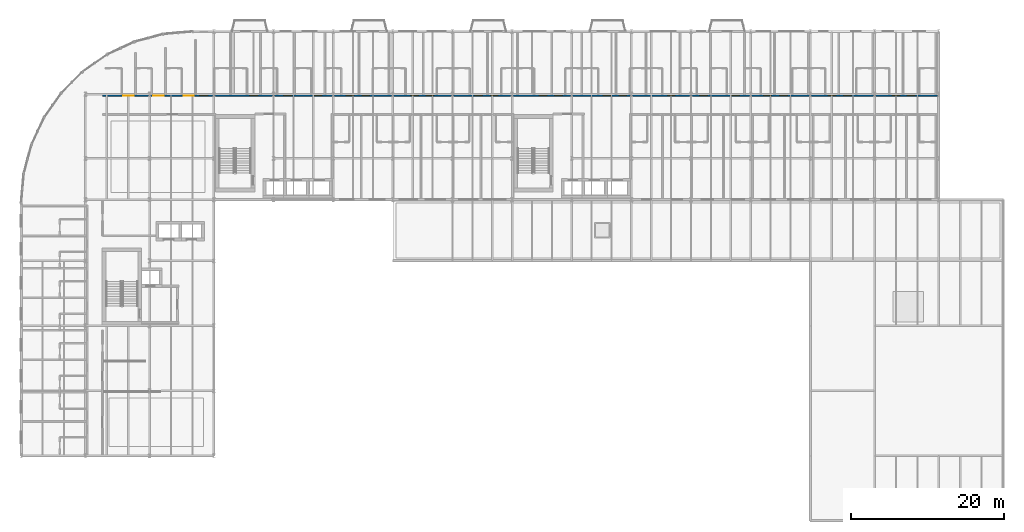
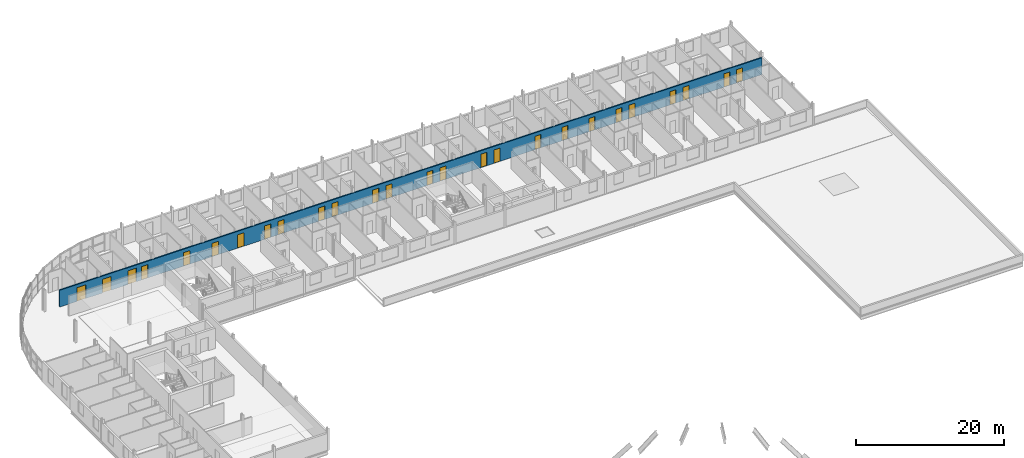
# One storey, part 27 of 36: 26 doors, 1 wall, 26 openings.
"""IFC4 building model written with IfcOpenShell, lengths in metres."""

import ifcopenshell
import ifcopenshell.guid

model = None  # the IFC model being written
_history = None  # IfcOwnerHistory: only IFC2X3 demands one
_inside = {}  # id of a spatial element -> (the spatial element, [elements in it])
_under = {}  # id of a project, library or spatial element -> (it, [spatial elements below it])
_declared = {}  # id of a project -> (the project, [libraries it declares])
_typed = {}  # id of a type object -> (the type object, [elements of that type])
_made_of = {}  # id of a material, layer set ... -> (it, [elements and type objects made of it])


def new_model(schema):
    """Start an empty IFC model of exactly this schema.

    Asked for "IFC4X3", IfcOpenShell would pick the latest addendum, in which some entities
    have other attributes; the version numbers below select the first issue.
    IFC2X3 requires an IfcOwnerHistory on every rooted entity: one is made here for all.
    """
    global model, _history
    if schema == "IFC4X3":
        model = ifcopenshell.file(schema_version=(4, 3, 0, 0))
    else:
        model = ifcopenshell.file(schema=schema)
    _inside.clear()
    _under.clear()
    _declared.clear()
    _typed.clear()
    _made_of.clear()
    _history = None
    if model.schema == "IFC2X3":
        org = make("IfcOrganization", Name="unknown")
        user = make(
            "IfcPersonAndOrganization",
            ThePerson=make("IfcPerson", FamilyName="unknown"),
            TheOrganization=org,
        )
        app = make(
            "IfcApplication",
            ApplicationDeveloper=org,
            Version="unknown",
            ApplicationFullName="unknown",
            ApplicationIdentifier="unknown",
        )
        _history = make(
            "IfcOwnerHistory",
            OwningUser=user,
            OwningApplication=app,
            ChangeAction="ADDED",
            CreationDate=0,
        )
    return model


def make(cls, **values):
    """One entity of the class cls with the attributes given. An attribute that is None is left unset."""
    return model.create_entity(
        cls, **{name: value for name, value in values.items() if value is not None}
    )


def rooted(cls, **values):
    """An entity with a GlobalId (a new one), such as an element, a storey or a relation."""
    return make(cls, GlobalId=ifcopenshell.guid.new(), OwnerHistory=_history, **values)


def si_unit(unit_type, name, prefix=None):
    """IfcSIUnit, for example si_unit("LENGTHUNIT", "METRE", prefix="MILLI")."""
    return make("IfcSIUnit", UnitType=unit_type, Prefix=prefix, Name=name)


def assignment(units):
    """IfcUnitAssignment: the units of a project."""
    return None if units is None else make("IfcUnitAssignment", Units=units)


def point(xyz):
    """IfcCartesianPoint."""
    return None if xyz is None else make("IfcCartesianPoint", Coordinates=xyz)


def direction(xyz):
    """IfcDirection."""
    return None if xyz is None else make("IfcDirection", DirectionRatios=xyz)


def frame(location, z_axis=None, x_axis=None):
    """IfcAxis2Placement3D, a coordinate frame: its origin and axes. An axis left out is left unset."""
    return make(
        "IfcAxis2Placement3D",
        Location=point(location),
        Axis=direction(z_axis),
        RefDirection=direction(x_axis),
    )


def frame_2d(location, x_axis=None):
    """IfcAxis2Placement2D, a coordinate frame in the plane: its origin and x axis."""
    return make(
        "IfcAxis2Placement2D", Location=point(location), RefDirection=direction(x_axis)
    )


def origin():
    """The frame at (0, 0, 0) with its axes left unset."""
    return frame((0.0, 0.0, 0.0))


def place(relative_to, where):
    """IfcLocalPlacement: puts the frame where relative to a parent placement (None: the world)."""
    return make(
        "IfcLocalPlacement", PlacementRelTo=relative_to, RelativePlacement=where
    )


def context(
    kind, dimensions, precision=None, world=None, true_north=None, identifier=None
):
    """IfcGeometricRepresentationContext, for example the 3D "Model" context."""
    return make(
        "IfcGeometricRepresentationContext",
        ContextIdentifier=identifier,
        ContextType=kind,
        CoordinateSpaceDimension=dimensions,
        Precision=precision,
        WorldCoordinateSystem=world,
        TrueNorth=true_north,
    )


def subcontext(parent, identifier, kind, view, scale=None):
    """IfcGeometricRepresentationSubContext, for example "Body" below "Model"."""
    return make(
        "IfcGeometricRepresentationSubContext",
        ContextIdentifier=identifier,
        ContextType=kind,
        ParentContext=parent,
        TargetScale=scale,
        TargetView=view,
    )


def project(units=None, contexts=None):
    """IfcProject with its units and contexts."""
    return rooted(
        "IfcProject",
        Name="project",
        RepresentationContexts=contexts,
        UnitsInContext=assignment(units),
    )


def spatial(cls, under=None, at=None, **own):
    """A site, building, storey or space (cls), placed at a placement, below another one or the project."""
    s = rooted(cls, ObjectPlacement=at, **own)
    if under is not None:
        _under.setdefault(under.id(), (under, []))[1].append(s)
    return s


def profile(cls, at=None, kind="AREA", **sizes):
    """A parametric profile (cls). Its sizes go by their IFC names, for example OverallWidth=200.0."""
    return make(cls, ProfileType=kind, Position=at, **sizes)


def rectangle(**sizes):
    """IfcRectangleProfileDef."""
    return profile("IfcRectangleProfileDef", **sizes)


def extrude(swept, where, along, depth):
    """IfcExtrudedAreaSolid: the profile swept, set in the frame where, extruded along a direction by depth."""
    return make(
        "IfcExtrudedAreaSolid",
        SweptArea=swept,
        Position=where,
        ExtrudedDirection=direction(along),
        Depth=depth,
    )


def shape(context_of_items, identifier, shape_type, items):
    """IfcShapeRepresentation: the items that make up one representation, for example the "Body"."""
    return make(
        "IfcShapeRepresentation",
        ContextOfItems=context_of_items,
        RepresentationIdentifier=identifier,
        RepresentationType=shape_type,
        Items=items,
    )


def material(Name=None, Category=None):
    """IfcMaterial."""
    return make("IfcMaterial", Name=Name, Category=Category)


def layer(
    of_material, thickness, ventilated=None, Name=None, Category=None, Priority=None
):
    """IfcMaterialLayer: one layer of a wall or slab, of a material (None: an air gap)."""
    return make(
        "IfcMaterialLayer",
        Material=of_material,
        LayerThickness=thickness,
        IsVentilated=ventilated,
        Name=Name,
        Category=Category,
        Priority=Priority,
    )


def layer_set(layers, Name=None):
    """IfcMaterialLayerSet."""
    return make("IfcMaterialLayerSet", MaterialLayers=layers, LayerSetName=Name)


def made_of(thing, what):
    """Note that an element or type object is made of a material, layer set ...; save() writes the relation."""
    if what is not None:
        _made_of.setdefault(what.id(), (what, []))[1].append(thing)
    return thing


def type_object(cls, material=None, **own):
    """A type object (cls), such as IfcWallType, which elements share."""
    return made_of(rooted(cls, **own), material)


def element(
    cls,
    number,
    at=None,
    inside=None,
    cuts=None,
    type_object=None,
    material=None,
    context=None,
    identifier="Body",
    shape_type=None,
    held_by="IfcProductDefinitionShape",
    body=None,
    shapes=None,
    **own,
):
    """One element of the class cls, such as IfcWall. Its Tag is "e" and its number.

    at: its placement. inside: the storey or other place that contains it. cuts: it is an
    opening in that element (IfcRelVoidsElement). A single representation is given by context,
    identifier, shape_type and body (its items); several are given by shapes. held_by: the class
    of the entity that holds the representations. save() writes the other relations.
    """
    e = rooted(cls, Tag="e%d" % number, ObjectPlacement=at, **own)
    if body is not None:
        shapes = [shape(context, identifier, shape_type, body)]
    if shapes is not None:
        e.Representation = make(held_by, Representations=shapes)
    if inside is not None:
        _inside.setdefault(inside.id(), (inside, []))[1].append(e)
    if cuts is not None:
        rooted(
            "IfcRelVoidsElement", RelatingBuildingElement=cuts, RelatedOpeningElement=e
        )
    if type_object is not None:
        _typed.setdefault(type_object.id(), (type_object, []))[1].append(e)
    return made_of(e, material)


def fill(opening, filler):
    """IfcRelFillsElement: the door or window that sits in an opening."""
    return rooted(
        "IfcRelFillsElement",
        RelatingOpeningElement=opening,
        RelatedBuildingElement=filler,
    )


def aggregate(whole, parts):
    """IfcRelAggregates: a whole, such as a stair, and the parts it consists of."""
    return rooted("IfcRelAggregates", RelatingObject=whole, RelatedObjects=parts)


def save(model, path):
    """Write the relations noted so far, then the file.

    IfcRelAggregates (storeys below a building ...), IfcRelContainedInSpatialStructure (elements
    in a storey), IfcRelDefinesByType, IfcRelAssociatesMaterial and IfcRelDeclares: one each for
    every whole, place, type object, material and project.
    """
    for whole, parts in _under.values():
        aggregate(whole, parts)
    for where, things in _inside.values():
        rooted(
            "IfcRelContainedInSpatialStructure",
            RelatedElements=things,
            RelatingStructure=where,
        )
    for kind, things in _typed.values():
        rooted("IfcRelDefinesByType", RelatedObjects=things, RelatingType=kind)
    for what, things in _made_of.values():
        rooted("IfcRelAssociatesMaterial", RelatedObjects=things, RelatingMaterial=what)
    for by, libraries in _declared.values():
        rooted("IfcRelDeclares", RelatingContext=by, RelatedDefinitions=libraries)
    model.write(path)


model = new_model("IFC4")

# Units and contexts
model_context = context("Model", 3, precision=1e-05, world=origin(), true_north=direction((0.0, 1.0)))
body_context = subcontext(model_context, "Body", "Model", "MODEL_VIEW")
ifc_project = project(units=[si_unit("LENGTHUNIT", "METRE"), si_unit("AREAUNIT", "SQUARE_METRE"), si_unit("VOLUMEUNIT", "CUBIC_METRE"), si_unit("PLANEANGLEUNIT", "RADIAN"), si_unit("MASSUNIT", "GRAM", prefix="KILO")], contexts=[model_context])

# Site, building, storey
site_placement = place(None, origin())
site = spatial("IfcSite", under=ifc_project, at=site_placement, CompositionType="ELEMENT")
building_placement = place(site_placement, origin())
building = spatial("IfcBuilding", under=site, at=building_placement, Name="Sefraquen Railside Congress Hotel", CompositionType="ELEMENT")
storey_placement = place(building_placement, frame((0.0, 0.0, 24.60009765625)))
storey = spatial("IfcBuildingStorey", under=building, at=storey_placement, Name="L05", CompositionType="ELEMENT", Elevation=24.60009765625)

# Wall, openings, doors
ifc_material_1 = material(Name="Acoustic gypsum board on metal stud", Category="gypsum")
ifc_layer = layer(ifc_material_1, 0.199951171875)
ifc_layer_set = layer_set([ifc_layer], Name="Acoustic gypsum board on metal stud")
wall_type = type_object("IfcWallType", Name="TW-PW-200", PredefinedType="PARTITIONING", material=ifc_layer_set)
wall_placement = place(storey_placement, frame((10.64990234375, 109.60009765625, 0.0), z_axis=(0.0, 0.0, 1.0), x_axis=(1.0, 0.0, 0.0)))
wall = element("IfcWall", 1, at=wall_placement, inside=storey, type_object=wall_type, Name="Hotel L05 north corridor fire-rated partition", PredefinedType="PARTITIONING", context=body_context, shape_type="SweptSolid", body=[
    extrude(rectangle(XDim=109.210205078125, YDim=0.199951171875, at=frame_2d((54.60498046875, 0.0))), origin(), (0.0, 0.0, 1.0), 2.77978515625),
])
opening_1_placement = place(wall_placement, frame((12.705078125, 0.0, 0.0)))
opening_1 = element("IfcOpeningElement", 2, at=opening_1_placement, cuts=wall, Name="Opening GD-01", PredefinedType="OPENING", context=body_context, shape_type="SweptSolid", body=[
    extrude(rectangle(XDim=1.02001953125, YDim=2.199951171875, at=frame_2d((0.510009765625, 1.10009765625))), frame((0.0, 0.10986328125, 0.0), z_axis=(0.0, -1.0, 0.0), x_axis=(1.0, 0.0, 0.0)), (0.0, 0.0, 1.0), 0.219970703125),
])
opening_2_placement = place(wall_placement, frame((19.260009765625, 0.0, 0.0)))
opening_2 = element("IfcOpeningElement", 3, at=opening_2_placement, cuts=wall, Name="Opening GD-01", PredefinedType="OPENING", context=body_context, shape_type="SweptSolid", body=[
    extrude(rectangle(XDim=1.02001953125, YDim=2.199951171875, at=frame_2d((0.510009765625, 1.10009765625))), frame((0.0, 0.10986328125, 0.0), z_axis=(0.0, -1.0, 0.0), x_axis=(1.0, 0.0, 0.0)), (0.0, 0.0, 1.0), 0.219970703125),
])
opening_3_placement = place(wall_placement, frame((23.7099609375, 0.0, 0.0)))
opening_3 = element("IfcOpeningElement", 4, at=opening_3_placement, cuts=wall, Name="Opening GD-01", PredefinedType="OPENING", context=body_context, shape_type="SweptSolid", body=[
    extrude(rectangle(XDim=1.02001953125, YDim=2.199951171875, at=frame_2d((0.510009765625, 1.10009765625))), frame((0.0, 0.10986328125, 0.0), z_axis=(0.0, -1.0, 0.0), x_axis=(1.0, 0.0, 0.0)), (0.0, 0.0, 1.0), 0.219970703125),
])
opening_4_placement = place(wall_placement, frame((27.659912109375, 0.0, 0.0)))
opening_4 = element("IfcOpeningElement", 5, at=opening_4_placement, cuts=wall, Name="Opening GD-01", PredefinedType="OPENING", context=body_context, shape_type="SweptSolid", body=[
    extrude(rectangle(XDim=1.02001953125, YDim=2.199951171875, at=frame_2d((0.510009765625, 1.10009765625))), frame((0.0, 0.10986328125, 0.0), z_axis=(0.0, -1.0, 0.0), x_axis=(1.0, 0.0, 0.0)), (0.0, 0.0, 1.0), 0.219970703125),
])
opening_5_placement = place(wall_placement, frame((31.889892578125, 0.0, 0.0)))
opening_5 = element("IfcOpeningElement", 6, at=opening_5_placement, cuts=wall, Name="Opening GD-02", PredefinedType="OPENING", context=body_context, shape_type="SweptSolid", body=[
    extrude(rectangle(XDim=0.9599609375, YDim=2.199951171875, at=frame_2d((0.47998046875, 1.10009765625))), frame((0.0, 0.10986328125, 0.0), z_axis=(0.0, -1.0, 0.0), x_axis=(1.0, 0.0, 0.0)), (0.0, 0.0, 1.0), 0.219970703125),
])
opening_6_placement = place(wall_placement, frame((33.93994140625, 0.0, 0.0)))
opening_6 = element("IfcOpeningElement", 7, at=opening_6_placement, cuts=wall, Name="Opening GD-02", PredefinedType="OPENING", context=body_context, shape_type="SweptSolid", body=[
    extrude(rectangle(XDim=0.9599609375, YDim=2.199951171875, at=frame_2d((0.47998046875, 1.10009765625))), frame((0.0, 0.10986328125, 0.0), z_axis=(0.0, -1.0, 0.0), x_axis=(1.0, 0.0, 0.0)), (0.0, 0.0, 1.0), 0.219970703125),
])
opening_7_placement = place(wall_placement, frame((40.2900390625, 0.0, 0.0)))
opening_7 = element("IfcOpeningElement", 8, at=opening_7_placement, cuts=wall, Name="Opening GD-02", PredefinedType="OPENING", context=body_context, shape_type="SweptSolid", body=[
    extrude(rectangle(XDim=0.9599609375, YDim=2.199951171875, at=frame_2d((0.47998046875, 1.10009765625))), frame((0.0, 0.10986328125, 0.0), z_axis=(0.0, -1.0, 0.0), x_axis=(1.0, 0.0, 0.0)), (0.0, 0.0, 1.0), 0.219970703125),
])
opening_8_placement = place(wall_placement, frame((42.340087890625, 0.0, 0.0)))
opening_8 = element("IfcOpeningElement", 9, at=opening_8_placement, cuts=wall, Name="Opening GD-02", PredefinedType="OPENING", context=body_context, shape_type="SweptSolid", body=[
    extrude(rectangle(XDim=0.9599609375, YDim=2.199951171875, at=frame_2d((0.47998046875, 1.10009765625))), frame((0.0, 0.10986328125, 0.0), z_axis=(0.0, -1.0, 0.0), x_axis=(1.0, 0.0, 0.0)), (0.0, 0.0, 1.0), 0.219970703125),
])
opening_9_placement = place(wall_placement, frame((48.68994140625, 0.0, 0.0)))
opening_9 = element("IfcOpeningElement", 10, at=opening_9_placement, cuts=wall, Name="Opening GD-02", PredefinedType="OPENING", context=body_context, shape_type="SweptSolid", body=[
    extrude(rectangle(XDim=0.9599609375, YDim=2.199951171875, at=frame_2d((0.47998046875, 1.10009765625))), frame((0.0, 0.10986328125, 0.0), z_axis=(0.0, -1.0, 0.0), x_axis=(1.0, 0.0, 0.0)), (0.0, 0.0, 1.0), 0.219970703125),
])
opening_10_placement = place(wall_placement, frame((50.739990234375, 0.0, 0.0)))
opening_10 = element("IfcOpeningElement", 11, at=opening_10_placement, cuts=wall, Name="Opening GD-02", PredefinedType="OPENING", context=body_context, shape_type="SweptSolid", body=[
    extrude(rectangle(XDim=0.9599609375, YDim=2.199951171875, at=frame_2d((0.47998046875, 1.10009765625))), frame((0.0, 0.10986328125, 0.0), z_axis=(0.0, -1.0, 0.0), x_axis=(1.0, 0.0, 0.0)), (0.0, 0.0, 1.0), 0.219970703125),
])
opening_11_placement = place(wall_placement, frame((57.090087890625, 0.0, 0.0)))
opening_11 = element("IfcOpeningElement", 12, at=opening_11_placement, cuts=wall, Name="Opening GD-02", PredefinedType="OPENING", context=body_context, shape_type="SweptSolid", body=[
    extrude(rectangle(XDim=0.9599609375, YDim=2.199951171875, at=frame_2d((0.47998046875, 1.10009765625))), frame((0.0, 0.10986328125, 0.0), z_axis=(0.0, -1.0, 0.0), x_axis=(1.0, 0.0, 0.0)), (0.0, 0.0, 1.0), 0.219970703125),
])
opening_12_placement = place(wall_placement, frame((59.139892578125, 0.0, 0.0)))
opening_12 = element("IfcOpeningElement", 13, at=opening_12_placement, cuts=wall, Name="Opening GD-02", PredefinedType="OPENING", context=body_context, shape_type="SweptSolid", body=[
    extrude(rectangle(XDim=0.9599609375, YDim=2.199951171875, at=frame_2d((0.47998046875, 1.10009765625))), frame((0.0, 0.10986328125, 0.0), z_axis=(0.0, -1.0, 0.0), x_axis=(1.0, 0.0, 0.0)), (0.0, 0.0, 1.0), 0.219970703125),
])
opening_13_placement = place(wall_placement, frame((65.489990234375, 0.0, 0.0)))
opening_13 = element("IfcOpeningElement", 14, at=opening_13_placement, cuts=wall, Name="Opening GD-02", PredefinedType="OPENING", context=body_context, shape_type="SweptSolid", body=[
    extrude(rectangle(XDim=0.9599609375, YDim=2.199951171875, at=frame_2d((0.47998046875, 1.10009765625))), frame((0.0, 0.10986328125, 0.0), z_axis=(0.0, -1.0, 0.0), x_axis=(1.0, 0.0, 0.0)), (0.0, 0.0, 1.0), 0.219970703125),
])
opening_14_placement = place(wall_placement, frame((67.5400390625, 0.0, 0.0)))
opening_14 = element("IfcOpeningElement", 15, at=opening_14_placement, cuts=wall, Name="Opening GD-02", PredefinedType="OPENING", context=body_context, shape_type="SweptSolid", body=[
    extrude(rectangle(XDim=0.9599609375, YDim=2.199951171875, at=frame_2d((0.47998046875, 1.10009765625))), frame((0.0, 0.10986328125, 0.0), z_axis=(0.0, -1.0, 0.0), x_axis=(1.0, 0.0, 0.0)), (0.0, 0.0, 1.0), 0.219970703125),
])
opening_15_placement = place(wall_placement, frame((73.889892578125, 0.0, 0.0)))
opening_15 = element("IfcOpeningElement", 16, at=opening_15_placement, cuts=wall, Name="Opening GD-02", PredefinedType="OPENING", context=body_context, shape_type="SweptSolid", body=[
    extrude(rectangle(XDim=0.9599609375, YDim=2.199951171875, at=frame_2d((0.47998046875, 1.10009765625))), frame((0.0, 0.10986328125, 0.0), z_axis=(0.0, -1.0, 0.0), x_axis=(1.0, 0.0, 0.0)), (0.0, 0.0, 1.0), 0.219970703125),
])
opening_16_placement = place(wall_placement, frame((78.090087890625, 0.0, 0.0)))
opening_16 = element("IfcOpeningElement", 17, at=opening_16_placement, cuts=wall, Name="Opening GD-02", PredefinedType="OPENING", context=body_context, shape_type="SweptSolid", body=[
    extrude(rectangle(XDim=0.9599609375, YDim=2.199951171875, at=frame_2d((0.47998046875, 1.10009765625))), frame((0.0, 0.10986328125, 0.0), z_axis=(0.0, -1.0, 0.0), x_axis=(1.0, 0.0, 0.0)), (0.0, 0.0, 1.0), 0.219970703125),
])
opening_17_placement = place(wall_placement, frame((82.2900390625, 0.0, 0.0)))
opening_17 = element("IfcOpeningElement", 18, at=opening_17_placement, cuts=wall, Name="Opening GD-02", PredefinedType="OPENING", context=body_context, shape_type="SweptSolid", body=[
    extrude(rectangle(XDim=0.9599609375, YDim=2.199951171875, at=frame_2d((0.47998046875, 1.10009765625))), frame((0.0, 0.10986328125, 0.0), z_axis=(0.0, -1.0, 0.0), x_axis=(1.0, 0.0, 0.0)), (0.0, 0.0, 1.0), 0.219970703125),
])
opening_18_placement = place(wall_placement, frame((86.489990234375, 0.0, 0.0)))
opening_18 = element("IfcOpeningElement", 19, at=opening_18_placement, cuts=wall, Name="Opening GD-02", PredefinedType="OPENING", context=body_context, shape_type="SweptSolid", body=[
    extrude(rectangle(XDim=0.9599609375, YDim=2.199951171875, at=frame_2d((0.47998046875, 1.10009765625))), frame((0.0, 0.10986328125, 0.0), z_axis=(0.0, -1.0, 0.0), x_axis=(1.0, 0.0, 0.0)), (0.0, 0.0, 1.0), 0.219970703125),
])
opening_19_placement = place(wall_placement, frame((88.5400390625, 0.0, 0.0)))
opening_19 = element("IfcOpeningElement", 20, at=opening_19_placement, cuts=wall, Name="Opening GD-02", PredefinedType="OPENING", context=body_context, shape_type="SweptSolid", body=[
    extrude(rectangle(XDim=0.9599609375, YDim=2.199951171875, at=frame_2d((0.47998046875, 1.10009765625))), frame((0.0, 0.10986328125, 0.0), z_axis=(0.0, -1.0, 0.0), x_axis=(1.0, 0.0, 0.0)), (0.0, 0.0, 1.0), 0.219970703125),
])
opening_20_placement = place(wall_placement, frame((94.889892578125, 0.0, 0.0)))
opening_20 = element("IfcOpeningElement", 21, at=opening_20_placement, cuts=wall, Name="Opening GD-02", PredefinedType="OPENING", context=body_context, shape_type="SweptSolid", body=[
    extrude(rectangle(XDim=0.9599609375, YDim=2.199951171875, at=frame_2d((0.47998046875, 1.10009765625))), frame((0.0, 0.10986328125, 0.0), z_axis=(0.0, -1.0, 0.0), x_axis=(1.0, 0.0, 0.0)), (0.0, 0.0, 1.0), 0.219970703125),
])
opening_21_placement = place(wall_placement, frame((96.93994140625, 0.0, 0.0)))
opening_21 = element("IfcOpeningElement", 22, at=opening_21_placement, cuts=wall, Name="Opening GD-02", PredefinedType="OPENING", context=body_context, shape_type="SweptSolid", body=[
    extrude(rectangle(XDim=0.9599609375, YDim=2.199951171875, at=frame_2d((0.47998046875, 1.10009765625))), frame((0.0, 0.10986328125, 0.0), z_axis=(0.0, -1.0, 0.0), x_axis=(1.0, 0.0, 0.0)), (0.0, 0.0, 1.0), 0.219970703125),
])
opening_22_placement = place(wall_placement, frame((103.2900390625, 0.0, 0.0)))
opening_22 = element("IfcOpeningElement", 23, at=opening_22_placement, cuts=wall, Name="Opening GD-02", PredefinedType="OPENING", context=body_context, shape_type="SweptSolid", body=[
    extrude(rectangle(XDim=0.9599609375, YDim=2.199951171875, at=frame_2d((0.47998046875, 1.10009765625))), frame((0.0, 0.10986328125, 0.0), z_axis=(0.0, -1.0, 0.0), x_axis=(1.0, 0.0, 0.0)), (0.0, 0.0, 1.0), 0.219970703125),
])
opening_23_placement = place(wall_placement, frame((105.25, 0.0, 0.0)))
opening_23 = element("IfcOpeningElement", 24, at=opening_23_placement, cuts=wall, Name="Opening GD-02", PredefinedType="OPENING", context=body_context, shape_type="SweptSolid", body=[
    extrude(rectangle(XDim=0.9599609375, YDim=2.199951171875, at=frame_2d((0.47998046875, 1.10009765625))), frame((0.0, 0.10986328125, 0.0), z_axis=(0.0, -1.0, 0.0), x_axis=(1.0, 0.0, 0.0)), (0.0, 0.0, 1.0), 0.219970703125),
])
opening_24_placement = place(wall_placement, frame((2.716064453125, 0.0, 0.0)))
opening_24 = element("IfcOpeningElement", 25, at=opening_24_placement, cuts=wall, Name="Opening GD-03", PredefinedType="OPENING", context=body_context, shape_type="SweptSolid", body=[
    extrude(rectangle(XDim=1.35009765625, YDim=2.25, at=frame_2d((0.675048828125, 1.125))), frame((0.0, 0.10986328125, 0.0), z_axis=(0.0, -1.0, 0.0), x_axis=(1.0, 0.0, 0.0)), (0.0, 0.0, 1.0), 0.219970703125),
])
opening_25_placement = place(wall_placement, frame((6.64990234375, 0.0, 0.0)))
opening_25 = element("IfcOpeningElement", 26, at=opening_25_placement, cuts=wall, Name="Opening GD-03", PredefinedType="OPENING", context=body_context, shape_type="SweptSolid", body=[
    extrude(rectangle(XDim=1.35009765625, YDim=2.25, at=frame_2d((0.675048828125, 1.125))), frame((0.0, 0.10986328125, 0.0), z_axis=(0.0, -1.0, 0.0), x_axis=(1.0, 0.0, 0.0)), (0.0, 0.0, 1.0), 0.219970703125),
])
opening_26_placement = place(wall_placement, frame((10.5830078125, 0.0, 0.0)))
opening_26 = element("IfcOpeningElement", 27, at=opening_26_placement, cuts=wall, Name="Opening GD-03", PredefinedType="OPENING", context=body_context, shape_type="SweptSolid", body=[
    extrude(rectangle(XDim=1.35009765625, YDim=2.25, at=frame_2d((0.675048828125, 1.125))), frame((0.0, 0.10986328125, 0.0), z_axis=(0.0, -1.0, 0.0), x_axis=(1.0, 0.0, 0.0)), (0.0, 0.0, 1.0), 0.219970703125),
])
ifc_material_2 = material(Name="Solid Atlas cedar timber fire leaf", Category="wood")
door_type_1 = type_object("IfcDoorType", Name="TD-GD-01", OperationType="NOTDEFINED", PredefinedType="DOOR", material=ifc_material_2)
door_1_placement = place(opening_1_placement, origin())
door_1 = element("IfcDoor", 28, at=door_1_placement, inside=storey, type_object=door_type_1, Name="Guest room entrance fire door RM-001", OperationType="SINGLE_SWING_RIGHT", OverallHeight=2.199951171875, OverallWidth=1.02001953125, PredefinedType="DOOR", context=body_context, shape_type="SweptSolid", body=[
    extrude(rectangle(XDim=1.02001953125, YDim=2.199951171875, at=frame_2d((0.510009765625, 1.10009765625))), frame((0.0, 0.02490234375, 0.0), z_axis=(0.0, -1.0, 0.0), x_axis=(1.0, 0.0, 0.0)), (0.0, 0.0, 1.0), 0.050048828125),
])
fill(opening_1, door_1)
door_2_placement = place(opening_2_placement, origin())
door_2 = element("IfcDoor", 29, at=door_2_placement, inside=storey, type_object=door_type_1, Name="Guest room entrance fire door RM-002", OperationType="SINGLE_SWING_RIGHT", OverallHeight=2.199951171875, OverallWidth=1.02001953125, PredefinedType="DOOR", context=body_context, shape_type="SweptSolid", body=[
    extrude(rectangle(XDim=1.02001953125, YDim=2.199951171875, at=frame_2d((0.510009765625, 1.10009765625))), frame((0.0, 0.02490234375, 0.0), z_axis=(0.0, -1.0, 0.0), x_axis=(1.0, 0.0, 0.0)), (0.0, 0.0, 1.0), 0.050048828125),
])
fill(opening_2, door_2)
door_3_placement = place(opening_3_placement, origin())
door_3 = element("IfcDoor", 30, at=door_3_placement, inside=storey, type_object=door_type_1, Name="Guest room entrance fire door RM-003", OperationType="SINGLE_SWING_RIGHT", OverallHeight=2.199951171875, OverallWidth=1.02001953125, PredefinedType="DOOR", context=body_context, shape_type="SweptSolid", body=[
    extrude(rectangle(XDim=1.02001953125, YDim=2.199951171875, at=frame_2d((0.510009765625, 1.10009765625))), frame((0.0, 0.02490234375, 0.0), z_axis=(0.0, -1.0, 0.0), x_axis=(1.0, 0.0, 0.0)), (0.0, 0.0, 1.0), 0.050048828125),
])
fill(opening_3, door_3)
door_4_placement = place(opening_4_placement, origin())
door_4 = element("IfcDoor", 31, at=door_4_placement, inside=storey, type_object=door_type_1, Name="Guest room entrance fire door RM-004", OperationType="SINGLE_SWING_RIGHT", OverallHeight=2.199951171875, OverallWidth=1.02001953125, PredefinedType="DOOR", context=body_context, shape_type="SweptSolid", body=[
    extrude(rectangle(XDim=1.02001953125, YDim=2.199951171875, at=frame_2d((0.510009765625, 1.10009765625))), frame((0.0, 0.02490234375, 0.0), z_axis=(0.0, -1.0, 0.0), x_axis=(1.0, 0.0, 0.0)), (0.0, 0.0, 1.0), 0.050048828125),
])
fill(opening_4, door_4)
door_type_2 = type_object("IfcDoorType", Name="TD-GD-02", OperationType="NOTDEFINED", PredefinedType="DOOR", material=ifc_material_2)
door_5_placement = place(opening_5_placement, origin())
door_5 = element("IfcDoor", 32, at=door_5_placement, inside=storey, type_object=door_type_2, Name="Guest room entrance fire door RM-005", OperationType="SINGLE_SWING_RIGHT", OverallHeight=2.199951171875, OverallWidth=0.9599609375, PredefinedType="DOOR", context=body_context, shape_type="SweptSolid", body=[
    extrude(rectangle(XDim=0.9599609375, YDim=2.199951171875, at=frame_2d((0.47998046875, 1.10009765625))), frame((0.0, 0.02490234375, 0.0), z_axis=(0.0, -1.0, 0.0), x_axis=(1.0, 0.0, 0.0)), (0.0, 0.0, 1.0), 0.050048828125),
])
fill(opening_5, door_5)
door_6_placement = place(opening_6_placement, origin())
door_6 = element("IfcDoor", 33, at=door_6_placement, inside=storey, type_object=door_type_2, Name="Guest room entrance fire door RM-006", OperationType="SINGLE_SWING_RIGHT", OverallHeight=2.199951171875, OverallWidth=0.9599609375, PredefinedType="DOOR", context=body_context, shape_type="SweptSolid", body=[
    extrude(rectangle(XDim=0.9599609375, YDim=2.199951171875, at=frame_2d((0.47998046875, 1.10009765625))), frame((0.0, 0.02490234375, 0.0), z_axis=(0.0, -1.0, 0.0), x_axis=(1.0, 0.0, 0.0)), (0.0, 0.0, 1.0), 0.050048828125),
])
fill(opening_6, door_6)
door_7_placement = place(opening_7_placement, origin())
door_7 = element("IfcDoor", 34, at=door_7_placement, inside=storey, type_object=door_type_2, Name="Guest room entrance fire door RM-007", OperationType="SINGLE_SWING_RIGHT", OverallHeight=2.199951171875, OverallWidth=0.9599609375, PredefinedType="DOOR", context=body_context, shape_type="SweptSolid", body=[
    extrude(rectangle(XDim=0.9599609375, YDim=2.199951171875, at=frame_2d((0.47998046875, 1.10009765625))), frame((0.0, 0.02490234375, 0.0), z_axis=(0.0, -1.0, 0.0), x_axis=(1.0, 0.0, 0.0)), (0.0, 0.0, 1.0), 0.050048828125),
])
fill(opening_7, door_7)
door_8_placement = place(opening_8_placement, origin())
door_8 = element("IfcDoor", 35, at=door_8_placement, inside=storey, type_object=door_type_2, Name="Guest room entrance fire door RM-008", OperationType="SINGLE_SWING_RIGHT", OverallHeight=2.199951171875, OverallWidth=0.9599609375, PredefinedType="DOOR", context=body_context, shape_type="SweptSolid", body=[
    extrude(rectangle(XDim=0.9599609375, YDim=2.199951171875, at=frame_2d((0.47998046875, 1.10009765625))), frame((0.0, 0.02490234375, 0.0), z_axis=(0.0, -1.0, 0.0), x_axis=(1.0, 0.0, 0.0)), (0.0, 0.0, 1.0), 0.050048828125),
])
fill(opening_8, door_8)
door_9_placement = place(opening_9_placement, origin())
door_9 = element("IfcDoor", 36, at=door_9_placement, inside=storey, type_object=door_type_2, Name="Guest room entrance fire door RM-009", OperationType="SINGLE_SWING_RIGHT", OverallHeight=2.199951171875, OverallWidth=0.9599609375, PredefinedType="DOOR", context=body_context, shape_type="SweptSolid", body=[
    extrude(rectangle(XDim=0.9599609375, YDim=2.199951171875, at=frame_2d((0.47998046875, 1.10009765625))), frame((0.0, 0.02490234375, 0.0), z_axis=(0.0, -1.0, 0.0), x_axis=(1.0, 0.0, 0.0)), (0.0, 0.0, 1.0), 0.050048828125),
])
fill(opening_9, door_9)
door_10_placement = place(opening_10_placement, origin())
door_10 = element("IfcDoor", 37, at=door_10_placement, inside=storey, type_object=door_type_2, Name="Guest room entrance fire door RM-010", OperationType="SINGLE_SWING_RIGHT", OverallHeight=2.199951171875, OverallWidth=0.9599609375, PredefinedType="DOOR", context=body_context, shape_type="SweptSolid", body=[
    extrude(rectangle(XDim=0.9599609375, YDim=2.199951171875, at=frame_2d((0.47998046875, 1.10009765625))), frame((0.0, 0.02490234375, 0.0), z_axis=(0.0, -1.0, 0.0), x_axis=(1.0, 0.0, 0.0)), (0.0, 0.0, 1.0), 0.050048828125),
])
fill(opening_10, door_10)
door_11_placement = place(opening_11_placement, origin())
door_11 = element("IfcDoor", 38, at=door_11_placement, inside=storey, type_object=door_type_2, Name="Guest room entrance fire door RM-011", OperationType="SINGLE_SWING_RIGHT", OverallHeight=2.199951171875, OverallWidth=0.9599609375, PredefinedType="DOOR", context=body_context, shape_type="SweptSolid", body=[
    extrude(rectangle(XDim=0.9599609375, YDim=2.199951171875, at=frame_2d((0.47998046875, 1.10009765625))), frame((0.0, 0.02490234375, 0.0), z_axis=(0.0, -1.0, 0.0), x_axis=(1.0, 0.0, 0.0)), (0.0, 0.0, 1.0), 0.050048828125),
])
fill(opening_11, door_11)
door_12_placement = place(opening_12_placement, origin())
door_12 = element("IfcDoor", 39, at=door_12_placement, inside=storey, type_object=door_type_2, Name="Guest room entrance fire door RM-012", OperationType="SINGLE_SWING_RIGHT", OverallHeight=2.199951171875, OverallWidth=0.9599609375, PredefinedType="DOOR", context=body_context, shape_type="SweptSolid", body=[
    extrude(rectangle(XDim=0.9599609375, YDim=2.199951171875, at=frame_2d((0.47998046875, 1.10009765625))), frame((0.0, 0.02490234375, 0.0), z_axis=(0.0, -1.0, 0.0), x_axis=(1.0, 0.0, 0.0)), (0.0, 0.0, 1.0), 0.050048828125),
])
fill(opening_12, door_12)
door_13_placement = place(opening_13_placement, origin())
door_13 = element("IfcDoor", 40, at=door_13_placement, inside=storey, type_object=door_type_2, Name="Guest room entrance fire door RM-013", OperationType="SINGLE_SWING_RIGHT", OverallHeight=2.199951171875, OverallWidth=0.9599609375, PredefinedType="DOOR", context=body_context, shape_type="SweptSolid", body=[
    extrude(rectangle(XDim=0.9599609375, YDim=2.199951171875, at=frame_2d((0.47998046875, 1.10009765625))), frame((0.0, 0.02490234375, 0.0), z_axis=(0.0, -1.0, 0.0), x_axis=(1.0, 0.0, 0.0)), (0.0, 0.0, 1.0), 0.050048828125),
])
fill(opening_13, door_13)
door_14_placement = place(opening_14_placement, origin())
door_14 = element("IfcDoor", 41, at=door_14_placement, inside=storey, type_object=door_type_2, Name="Guest room entrance fire door RM-014", OperationType="SINGLE_SWING_RIGHT", OverallHeight=2.199951171875, OverallWidth=0.9599609375, PredefinedType="DOOR", context=body_context, shape_type="SweptSolid", body=[
    extrude(rectangle(XDim=0.9599609375, YDim=2.199951171875, at=frame_2d((0.47998046875, 1.10009765625))), frame((0.0, 0.02490234375, 0.0), z_axis=(0.0, -1.0, 0.0), x_axis=(1.0, 0.0, 0.0)), (0.0, 0.0, 1.0), 0.050048828125),
])
fill(opening_14, door_14)
door_15_placement = place(opening_15_placement, origin())
door_15 = element("IfcDoor", 42, at=door_15_placement, inside=storey, type_object=door_type_2, Name="Guest room entrance fire door RM-015", OperationType="SINGLE_SWING_RIGHT", OverallHeight=2.199951171875, OverallWidth=0.9599609375, PredefinedType="DOOR", context=body_context, shape_type="SweptSolid", body=[
    extrude(rectangle(XDim=0.9599609375, YDim=2.199951171875, at=frame_2d((0.47998046875, 1.10009765625))), frame((0.0, 0.02490234375, 0.0), z_axis=(0.0, -1.0, 0.0), x_axis=(1.0, 0.0, 0.0)), (0.0, 0.0, 1.0), 0.050048828125),
])
fill(opening_15, door_15)
door_16_placement = place(opening_16_placement, origin())
door_16 = element("IfcDoor", 43, at=door_16_placement, inside=storey, type_object=door_type_2, Name="Guest room entrance fire door RM-016", OperationType="SINGLE_SWING_RIGHT", OverallHeight=2.199951171875, OverallWidth=0.9599609375, PredefinedType="DOOR", context=body_context, shape_type="SweptSolid", body=[
    extrude(rectangle(XDim=0.9599609375, YDim=2.199951171875, at=frame_2d((0.47998046875, 1.10009765625))), frame((0.0, 0.02490234375, 0.0), z_axis=(0.0, -1.0, 0.0), x_axis=(1.0, 0.0, 0.0)), (0.0, 0.0, 1.0), 0.050048828125),
])
fill(opening_16, door_16)
door_17_placement = place(opening_17_placement, origin())
door_17 = element("IfcDoor", 44, at=door_17_placement, inside=storey, type_object=door_type_2, Name="Guest room entrance fire door RM-017", OperationType="SINGLE_SWING_RIGHT", OverallHeight=2.199951171875, OverallWidth=0.9599609375, PredefinedType="DOOR", context=body_context, shape_type="SweptSolid", body=[
    extrude(rectangle(XDim=0.9599609375, YDim=2.199951171875, at=frame_2d((0.47998046875, 1.10009765625))), frame((0.0, 0.02490234375, 0.0), z_axis=(0.0, -1.0, 0.0), x_axis=(1.0, 0.0, 0.0)), (0.0, 0.0, 1.0), 0.050048828125),
])
fill(opening_17, door_17)
door_18_placement = place(opening_18_placement, origin())
door_18 = element("IfcDoor", 45, at=door_18_placement, inside=storey, type_object=door_type_2, Name="Guest room entrance fire door RM-018", OperationType="SINGLE_SWING_RIGHT", OverallHeight=2.199951171875, OverallWidth=0.9599609375, PredefinedType="DOOR", context=body_context, shape_type="SweptSolid", body=[
    extrude(rectangle(XDim=0.9599609375, YDim=2.199951171875, at=frame_2d((0.47998046875, 1.10009765625))), frame((0.0, 0.02490234375, 0.0), z_axis=(0.0, -1.0, 0.0), x_axis=(1.0, 0.0, 0.0)), (0.0, 0.0, 1.0), 0.050048828125),
])
fill(opening_18, door_18)
door_19_placement = place(opening_19_placement, origin())
door_19 = element("IfcDoor", 46, at=door_19_placement, inside=storey, type_object=door_type_2, Name="Guest room entrance fire door RM-019", OperationType="SINGLE_SWING_RIGHT", OverallHeight=2.199951171875, OverallWidth=0.9599609375, PredefinedType="DOOR", context=body_context, shape_type="SweptSolid", body=[
    extrude(rectangle(XDim=0.9599609375, YDim=2.199951171875, at=frame_2d((0.47998046875, 1.10009765625))), frame((0.0, 0.02490234375, 0.0), z_axis=(0.0, -1.0, 0.0), x_axis=(1.0, 0.0, 0.0)), (0.0, 0.0, 1.0), 0.050048828125),
])
fill(opening_19, door_19)
door_20_placement = place(opening_20_placement, origin())
door_20 = element("IfcDoor", 47, at=door_20_placement, inside=storey, type_object=door_type_2, Name="Guest room entrance fire door RM-020", OperationType="SINGLE_SWING_RIGHT", OverallHeight=2.199951171875, OverallWidth=0.9599609375, PredefinedType="DOOR", context=body_context, shape_type="SweptSolid", body=[
    extrude(rectangle(XDim=0.9599609375, YDim=2.199951171875, at=frame_2d((0.47998046875, 1.10009765625))), frame((0.0, 0.02490234375, 0.0), z_axis=(0.0, -1.0, 0.0), x_axis=(1.0, 0.0, 0.0)), (0.0, 0.0, 1.0), 0.050048828125),
])
fill(opening_20, door_20)
door_21_placement = place(opening_21_placement, origin())
door_21 = element("IfcDoor", 48, at=door_21_placement, inside=storey, type_object=door_type_2, Name="Guest room entrance fire door RM-021", OperationType="SINGLE_SWING_RIGHT", OverallHeight=2.199951171875, OverallWidth=0.9599609375, PredefinedType="DOOR", context=body_context, shape_type="SweptSolid", body=[
    extrude(rectangle(XDim=0.9599609375, YDim=2.199951171875, at=frame_2d((0.47998046875, 1.10009765625))), frame((0.0, 0.02490234375, 0.0), z_axis=(0.0, -1.0, 0.0), x_axis=(1.0, 0.0, 0.0)), (0.0, 0.0, 1.0), 0.050048828125),
])
fill(opening_21, door_21)
door_22_placement = place(opening_22_placement, origin())
door_22 = element("IfcDoor", 49, at=door_22_placement, inside=storey, type_object=door_type_2, Name="Guest room entrance fire door RM-022", OperationType="SINGLE_SWING_RIGHT", OverallHeight=2.199951171875, OverallWidth=0.9599609375, PredefinedType="DOOR", context=body_context, shape_type="SweptSolid", body=[
    extrude(rectangle(XDim=0.9599609375, YDim=2.199951171875, at=frame_2d((0.47998046875, 1.10009765625))), frame((0.0, 0.02490234375, 0.0), z_axis=(0.0, -1.0, 0.0), x_axis=(1.0, 0.0, 0.0)), (0.0, 0.0, 1.0), 0.050048828125),
])
fill(opening_22, door_22)
door_23_placement = place(opening_23_placement, origin())
door_23 = element("IfcDoor", 50, at=door_23_placement, inside=storey, type_object=door_type_2, Name="Guest room entrance fire door RM-023", OperationType="SINGLE_SWING_RIGHT", OverallHeight=2.199951171875, OverallWidth=0.9599609375, PredefinedType="DOOR", context=body_context, shape_type="SweptSolid", body=[
    extrude(rectangle(XDim=0.9599609375, YDim=2.199951171875, at=frame_2d((0.47998046875, 1.10009765625))), frame((0.0, 0.02490234375, 0.0), z_axis=(0.0, -1.0, 0.0), x_axis=(1.0, 0.0, 0.0)), (0.0, 0.0, 1.0), 0.050048828125),
])
fill(opening_23, door_23)
door_type_3 = type_object("IfcDoorType", Name="TD-GD-03", OperationType="NOTDEFINED", PredefinedType="DOOR", material=ifc_material_2)
door_24_placement = place(opening_24_placement, origin())
door_24 = element("IfcDoor", 51, at=door_24_placement, inside=storey, type_object=door_type_3, Name="Guest room entrance fire door RM-048", OperationType="DOUBLE_SWING_LEFT", OverallHeight=2.25, OverallWidth=1.35009765625, PredefinedType="DOOR", context=body_context, shape_type="SweptSolid", body=[
    extrude(rectangle(XDim=1.35009765625, YDim=2.25, at=frame_2d((0.675048828125, 1.125))), frame((0.0, 0.02490234375, 0.0), z_axis=(0.0, -1.0, 0.0), x_axis=(1.0, 0.0, 0.0)), (0.0, 0.0, 1.0), 0.050048828125),
])
fill(opening_24, door_24)
door_25_placement = place(opening_25_placement, origin())
door_25 = element("IfcDoor", 52, at=door_25_placement, inside=storey, type_object=door_type_3, Name="Guest room entrance fire door RM-049", OperationType="DOUBLE_SWING_LEFT", OverallHeight=2.25, OverallWidth=1.35009765625, PredefinedType="DOOR", context=body_context, shape_type="SweptSolid", body=[
    extrude(rectangle(XDim=1.35009765625, YDim=2.25, at=frame_2d((0.675048828125, 1.125))), frame((0.0, 0.02490234375, 0.0), z_axis=(0.0, -1.0, 0.0), x_axis=(1.0, 0.0, 0.0)), (0.0, 0.0, 1.0), 0.050048828125),
])
fill(opening_25, door_25)
door_26_placement = place(opening_26_placement, origin())
door_26 = element("IfcDoor", 53, at=door_26_placement, inside=storey, type_object=door_type_3, Name="Guest room entrance fire door RM-050", OperationType="DOUBLE_SWING_LEFT", OverallHeight=2.25, OverallWidth=1.35009765625, PredefinedType="DOOR", context=body_context, shape_type="SweptSolid", body=[
    extrude(rectangle(XDim=1.35009765625, YDim=2.25, at=frame_2d((0.675048828125, 1.125))), frame((0.0, 0.02490234375, 0.0), z_axis=(0.0, -1.0, 0.0), x_axis=(1.0, 0.0, 0.0)), (0.0, 0.0, 1.0), 0.050048828125),
])
fill(opening_26, door_26)

save(model, "model.ifc")
